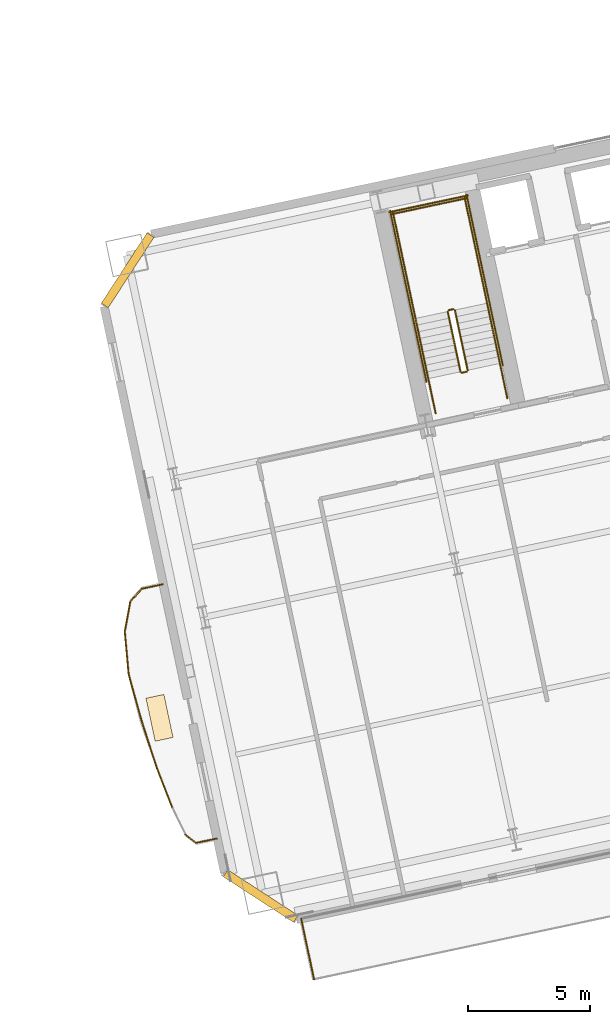
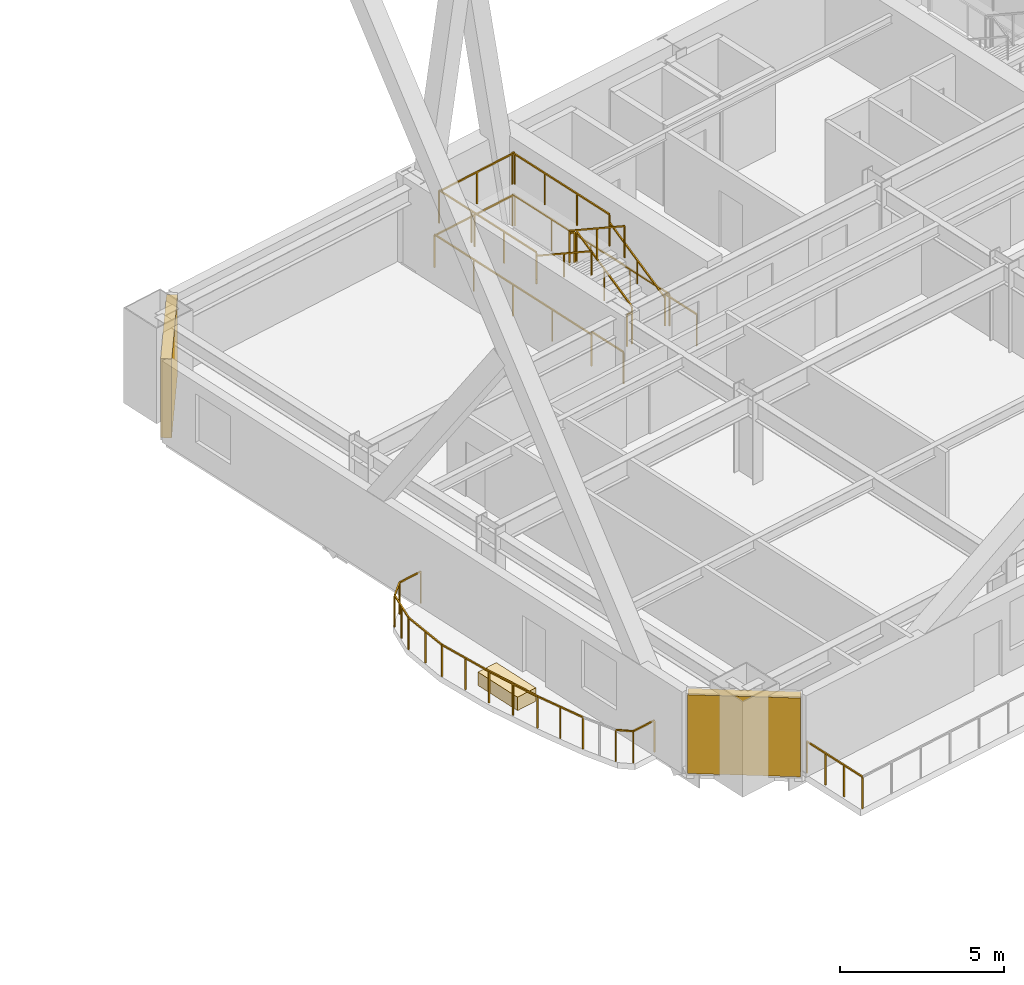
# One storey, part 20 of 22: 24 railings, 2 shading devices, 1 covering.
"""IFC4 building model written with IfcOpenShell, lengths in metres."""

from ifc_helpers import new_model, si_unit, direction, frame, origin, origin_2d, place, context, subcontext, project, spatial, rectangle, extrude, material, layer, layer_set, type_object, element, save


model = new_model("IFC4")

# Units and contexts
model_context = context("Model", 3, precision=1e-05, world=origin(), true_north=direction((0.0, 1.0)))
body_context = subcontext(model_context, "Body", "Model", "MODEL_VIEW")
ifc_project = project(units=[si_unit("LENGTHUNIT", "METRE"), si_unit("AREAUNIT", "SQUARE_METRE"), si_unit("VOLUMEUNIT", "CUBIC_METRE"), si_unit("PLANEANGLEUNIT", "RADIAN"), si_unit("MASSUNIT", "GRAM", prefix="KILO")], contexts=[model_context])

# Site, building, storey
site_placement = place(None, origin())
site = spatial("IfcSite", under=ifc_project, at=site_placement, CompositionType="ELEMENT")
building_placement = place(site_placement, origin())
building = spatial("IfcBuilding", under=site, at=building_placement, Name="Haevon Station Towers", CompositionType="ELEMENT")
storey_placement = place(building_placement, frame((0.0, 0.0, 70.199951171875)))
storey = spatial("IfcBuildingStorey", under=building, at=storey_placement, Name="L18", CompositionType="ELEMENT", Elevation=70.199951171875)

# Railings
ifc_material_1 = material(Name="Steel S355", Category="steel")
railing_type_1 = type_object("IfcRailingType", Name="GRD-EXT1200", PredefinedType="GUARDRAIL", material=ifc_material_1)
railing_1_placement = place(storey_placement, frame((93.623779296875, 17.22412109375, 0.0)))
element("IfcRailing", 1, at=railing_1_placement, inside=storey, type_object=railing_type_1, Name="L18 Perimeter Guardrail 3", PredefinedType="GUARDRAIL", context=body_context, shape_type="SweptSolid", body=[
    extrude(rectangle(XDim=0.048095703125, YDim=0.048095703125, at=origin_2d()), frame((0.0, 0.0, 1.17578125), z_axis=(0.207864515886, -0.978157626886, 0.0), x_axis=(0.978157626886, 0.207864515886, 0.0)), (0.0, 0.0, 1.0), 2.53466796875),
    extrude(rectangle(XDim=0.0419921875, YDim=0.0419921875, at=origin_2d()), origin(), (0.0, 0.0, 1.0), 1.15185546875),
    extrude(rectangle(XDim=0.0419921875, YDim=0.0419921875, at=origin_2d()), frame((0.175537109375, -0.826416015625, 0.0)), (0.0, 0.0, 1.0), 1.15185546875),
    extrude(rectangle(XDim=0.0419921875, YDim=0.0419921875, at=origin_2d()), frame((0.351318359375, -1.65283203125, 0.0)), (0.0, 0.0, 1.0), 1.15185546875),
    extrude(rectangle(XDim=0.0419921875, YDim=0.0419921875, at=origin_2d()), frame((0.52685546875, -2.479248046875, 0.0)), (0.0, 0.0, 1.0), 1.15185546875),
])
railing_2_placement = place(storey_placement, frame((87.94775390625, 30.92578125, 0.0)))
element("IfcRailing", 2, at=railing_2_placement, inside=storey, type_object=railing_type_1, Name="L18 Perimeter Guardrail 1", PredefinedType="GUARDRAIL", context=body_context, shape_type="SweptSolid", body=[
    extrude(rectangle(XDim=0.048095703125, YDim=0.048095703125, at=origin_2d()), frame((0.0, 0.0, 1.17578125), z_axis=(-0.977695451476, -0.210027627141, 0.0), x_axis=(0.210027627141, -0.977695451476, 0.0)), (0.0, 0.0, 1.0), 0.869384765625),
    extrude(rectangle(XDim=0.0419921875, YDim=0.0419921875, at=origin_2d()), origin(), (0.0, 0.0, 1.0), 1.15185546875),
    extrude(rectangle(XDim=0.0419921875, YDim=0.0419921875, at=origin_2d()), frame((-0.85009765625, -0.1826171875, 0.0)), (0.0, 0.0, 1.0), 1.15185546875),
])
railing_3_placement = place(storey_placement, frame((87.09765625, 30.7431640625, 0.0)))
element("IfcRailing", 3, at=railing_3_placement, inside=storey, type_object=railing_type_1, Name="L18 Perimeter Guardrail 2", PredefinedType="GUARDRAIL", context=body_context, shape_type="SweptSolid", body=[
    extrude(rectangle(XDim=0.048095703125, YDim=0.048095703125, at=origin_2d()), frame((0.0, 0.0, 1.17578125), z_axis=(-0.673069263141, -0.739579452808, 0.0), x_axis=(0.739579452808, -0.673069263141, 0.0)), (0.0, 0.0, 1.0), 0.704833984375),
    extrude(rectangle(XDim=0.0419921875, YDim=0.0419921875, at=origin_2d()), origin(), (0.0, 0.0, 1.0), 1.15185546875),
    extrude(rectangle(XDim=0.0419921875, YDim=0.0419921875, at=origin_2d()), frame((-0.474365234375, -0.521240234375, 0.0)), (0.0, 0.0, 1.0), 1.15185546875),
])
railing_4_placement = place(storey_placement, frame((86.623291015625, 30.221923828125, 0.0)))
element("IfcRailing", 4, at=railing_4_placement, inside=storey, type_object=railing_type_1, Name="L18 Perimeter Guardrail 3", PredefinedType="GUARDRAIL", context=body_context, shape_type="SweptSolid", body=[
    extrude(rectangle(XDim=0.048095703125, YDim=0.048095703125, at=origin_2d()), frame((0.0, 0.0, 1.17578125), z_axis=(-0.17885144473, -0.983876090124, 0.0), x_axis=(0.983876090124, -0.17885144473, 0.0)), (0.0, 0.0, 1.0), 1.263916015625),
    extrude(rectangle(XDim=0.0419921875, YDim=0.0419921875, at=origin_2d()), origin(), (0.0, 0.0, 1.0), 1.15185546875),
    extrude(rectangle(XDim=0.0419921875, YDim=0.0419921875, at=origin_2d()), frame((-0.113037109375, -0.621826171875, 0.0)), (0.0, 0.0, 1.0), 1.15185546875),
    extrude(rectangle(XDim=0.0419921875, YDim=0.0419921875, at=origin_2d()), frame((-0.22607421875, -1.24365234375, 0.0)), (0.0, 0.0, 1.0), 1.15185546875),
])
railing_5_placement = place(storey_placement, frame((86.397216796875, 28.978271484375, 0.0)))
element("IfcRailing", 5, at=railing_5_placement, inside=storey, type_object=railing_type_1, Name="L18 Perimeter Guardrail 4", PredefinedType="GUARDRAIL", context=body_context, shape_type="SweptSolid", body=[
    extrude(rectangle(XDim=0.048095703125, YDim=0.048095703125, at=origin_2d()), frame((0.0, 0.0, 1.17578125), z_axis=(0.09134934357, -0.995818907949, 0.0), x_axis=(0.995818907949, 0.09134934357, 0.0)), (0.0, 0.0, 1.0), 1.758544921875),
    extrude(rectangle(XDim=0.0419921875, YDim=0.0419921875, at=origin_2d()), origin(), (0.0, 0.0, 1.0), 1.15185546875),
    extrude(rectangle(XDim=0.0419921875, YDim=0.0419921875, at=origin_2d()), frame((0.080322265625, -0.87548828125, 0.0)), (0.0, 0.0, 1.0), 1.15185546875),
    extrude(rectangle(XDim=0.0419921875, YDim=0.0419921875, at=origin_2d()), frame((0.16064453125, -1.751220703125, 0.0)), (0.0, 0.0, 1.0), 1.15185546875),
])
railing_6_placement = place(storey_placement, frame((86.557861328125, 27.22705078125, 0.0)))
element("IfcRailing", 6, at=railing_6_placement, inside=storey, type_object=railing_type_1, Name="L18 Perimeter Guardrail 5", PredefinedType="GUARDRAIL", context=body_context, shape_type="SweptSolid", body=[
    extrude(rectangle(XDim=0.048095703125, YDim=0.048095703125, at=origin_2d()), frame((0.0, 0.0, 1.17578125), z_axis=(0.269648061071, -0.962958941576, 0.0), x_axis=(0.962958941576, 0.269648061071, 0.0)), (0.0, 0.0, 1.0), 1.997314453125),
    extrude(rectangle(XDim=0.0419921875, YDim=0.0419921875, at=origin_2d()), origin(), (0.0, 0.0, 1.0), 1.15185546875),
    extrude(rectangle(XDim=0.0419921875, YDim=0.0419921875, at=origin_2d()), frame((0.269287109375, -0.961669921875, 0.0)), (0.0, 0.0, 1.0), 1.15185546875),
    extrude(rectangle(XDim=0.0419921875, YDim=0.0419921875, at=origin_2d()), frame((0.53857421875, -1.92333984375, 0.0)), (0.0, 0.0, 1.0), 1.15185546875),
])
railing_7_placement = place(storey_placement, frame((87.096435546875, 25.3037109375, 0.0)))
element("IfcRailing", 7, at=railing_7_placement, inside=storey, type_object=railing_type_1, Name="L18 Perimeter Guardrail 6", PredefinedType="GUARDRAIL", context=body_context, shape_type="SweptSolid", body=[
    extrude(rectangle(XDim=0.048095703125, YDim=0.048095703125, at=origin_2d()), frame((0.0, 0.0, 1.17578125), z_axis=(0.307166859975, -0.951655673095, 0.0), x_axis=(0.951655673095, 0.307166859975, 0.0)), (0.0, 0.0, 1.0), 1.999755859375),
    extrude(rectangle(XDim=0.0419921875, YDim=0.0419921875, at=origin_2d()), origin(), (0.0, 0.0, 1.0), 1.15185546875),
    extrude(rectangle(XDim=0.0419921875, YDim=0.0419921875, at=origin_2d()), frame((0.30712890625, -0.95166015625, 0.0)), (0.0, 0.0, 1.0), 1.15185546875),
    extrude(rectangle(XDim=0.0419921875, YDim=0.0419921875, at=origin_2d()), frame((0.6142578125, -1.903076171875, 0.0)), (0.0, 0.0, 1.0), 1.15185546875),
])
railing_8_placement = place(storey_placement, frame((87.710693359375, 23.400634765625, 0.0)))
element("IfcRailing", 8, at=railing_8_placement, inside=storey, type_object=railing_type_1, Name="L18 Perimeter Guardrail 7", PredefinedType="GUARDRAIL", context=body_context, shape_type="SweptSolid", body=[
    extrude(rectangle(XDim=0.048095703125, YDim=0.048095703125, at=origin_2d()), frame((0.0, 0.0, 1.17578125), z_axis=(0.363828124835, -0.93146610007, 0.0), x_axis=(0.93146610007, 0.363828124835, 0.0)), (0.0, 0.0, 1.0), 1.77294921875),
    extrude(rectangle(XDim=0.0419921875, YDim=0.0419921875, at=origin_2d()), origin(), (0.0, 0.0, 1.0), 1.15185546875),
    extrude(rectangle(XDim=0.0419921875, YDim=0.0419921875, at=origin_2d()), frame((0.322509765625, -0.82568359375, 0.0)), (0.0, 0.0, 1.0), 1.15185546875),
    extrude(rectangle(XDim=0.0419921875, YDim=0.0419921875, at=origin_2d()), frame((0.64501953125, -1.6513671875, 0.0)), (0.0, 0.0, 1.0), 1.15185546875),
])
railing_9_placement = place(storey_placement, frame((88.88623046875, 20.66552734375, 0.0)))
element("IfcRailing", 9, at=railing_9_placement, inside=storey, type_object=railing_type_1, Name="L18 Perimeter Guardrail 9", PredefinedType="GUARDRAIL", context=body_context, shape_type="SweptSolid", body=[
    extrude(rectangle(XDim=0.048095703125, YDim=0.048095703125, at=origin_2d()), frame((0.0, 0.0, 1.17578125), z_axis=(0.788740209516, -0.614726672508, 0.0), x_axis=(0.614726672508, 0.788740209516, 0.0)), (0.0, 0.0, 1.0), 0.537353515625),
    extrude(rectangle(XDim=0.0419921875, YDim=0.0419921875, at=origin_2d()), origin(), (0.0, 0.0, 1.0), 1.15185546875),
    extrude(rectangle(XDim=0.0419921875, YDim=0.0419921875, at=origin_2d()), frame((0.423828125, -0.330322265625, 0.0)), (0.0, 0.0, 1.0), 1.15185546875),
])
railing_10_placement = place(storey_placement, frame((89.31005859375, 20.335205078125, 0.0)))
element("IfcRailing", 10, at=railing_10_placement, inside=storey, type_object=railing_type_1, Name="L18 Perimeter Guardrail 10", PredefinedType="GUARDRAIL", context=body_context, shape_type="SweptSolid", body=[
    extrude(rectangle(XDim=0.048095703125, YDim=0.048095703125, at=origin_2d()), frame((0.0, 0.0, 1.17578125), z_axis=(0.978588498747, 0.205826504901, 0.0), x_axis=(-0.205826504901, 0.978588498747, 0.0)), (0.0, 0.0, 1.0), 0.869384765625),
    extrude(rectangle(XDim=0.0419921875, YDim=0.0419921875, at=origin_2d()), origin(), (0.0, 0.0, 1.0), 1.15185546875),
    extrude(rectangle(XDim=0.0419921875, YDim=0.0419921875, at=origin_2d()), frame((0.850830078125, 0.178955078125, 0.0)), (0.0, 0.0, 1.0), 1.15185546875),
])
railing_type_2 = type_object("IfcRailingType", Name="GRD-STR1200", PredefinedType="GUARDRAIL", material=ifc_material_1)
railing_11_placement = place(storey_placement, frame((100.44140625, 39.69287109375, 0.1650390625)))
element("IfcRailing", 11, at=railing_11_placement, inside=storey, type_object=railing_type_2, Name="L18 ST3 Stair Guard 1", PredefinedType="GUARDRAIL", context=body_context, shape_type="SweptSolid", body=[
    extrude(rectangle(XDim=0.048095703125, YDim=0.048095703125, at=origin_2d()), frame((0.0, 0.0, 1.17578125), z_axis=(-0.179121265225, 0.842687928106, 0.507732831485), x_axis=(-0.978147030254, -0.207914374695, 0.0)), (0.0, 0.0, 1.0), 2.925048828125),
    extrude(rectangle(XDim=0.0419921875, YDim=0.0419921875, at=origin_2d()), origin(), (0.0, 0.0, 1.0), 1.15185546875),
    extrude(rectangle(XDim=0.0419921875, YDim=0.0419921875, at=origin_2d()), frame((-0.261962890625, 1.232421875, 0.74267578125)), (0.0, 0.0, 1.0), 1.15185546875),
    extrude(rectangle(XDim=0.0419921875, YDim=0.0419921875, at=origin_2d()), frame((-0.52392578125, 2.46484375, 1.485107421875)), (0.0, 0.0, 1.0), 1.15185546875),
])
railing_12_placement = place(storey_placement, frame((99.858154296875, 42.1962890625, 1.650146484375)))
element("IfcRailing", 12, at=railing_12_placement, inside=storey, type_object=railing_type_2, Name="L18 ST3 Stair Guard 2", PredefinedType="GUARDRAIL", context=body_context, shape_type="SweptSolid", body=[
    extrude(rectangle(XDim=0.048095703125, YDim=0.048095703125, at=origin_2d()), frame((0.0, 0.0, 1.17578125), z_axis=(-0.977962931203, -0.208778603291, 0.0), x_axis=(0.208778603291, -0.977962931203, 0.0)), (0.0, 0.0, 1.0), 0.199951171875),
    extrude(rectangle(XDim=0.0419921875, YDim=0.0419921875, at=origin_2d()), origin(), (0.0, 0.0, 1.0), 1.15185546875),
    extrude(rectangle(XDim=0.0419921875, YDim=0.0419921875, at=origin_2d()), frame((-0.195556640625, -0.041748046875, 0.0)), (0.0, 0.0, 1.0), 1.15185546875),
])
railing_13_placement = place(storey_placement, frame((101.238037109375, 42.4384765625, 1.650146484375)))
element("IfcRailing", 13, at=railing_13_placement, inside=storey, type_object=railing_type_2, Name="L18 ST3 Stair Guard 3", PredefinedType="GUARDRAIL", context=body_context, shape_type="SweptSolid", body=[
    extrude(rectangle(XDim=0.048095703125, YDim=0.048095703125, at=origin_2d()), frame((0.0, 0.0, 1.17578125), z_axis=(-0.20794048909, 0.978141479029, 0.0), x_axis=(-0.978141479029, -0.20794048909, 0.0)), (0.0, 0.0, 1.0), 4.429931640625),
    extrude(rectangle(XDim=0.0419921875, YDim=0.0419921875, at=origin_2d()), origin(), (0.0, 0.0, 1.0), 1.15185546875),
    extrude(rectangle(XDim=0.0419921875, YDim=0.0419921875, at=origin_2d()), frame((-0.30712890625, 1.4443359375, 0.0)), (0.0, 0.0, 1.0), 1.15185546875),
    extrude(rectangle(XDim=0.0419921875, YDim=0.0419921875, at=origin_2d()), frame((-0.614013671875, 2.888671875, 0.0)), (0.0, 0.0, 1.0), 1.15185546875),
    extrude(rectangle(XDim=0.0419921875, YDim=0.0419921875, at=origin_2d()), frame((-0.921142578125, 4.3330078125, 0.0)), (0.0, 0.0, 1.0), 1.15185546875),
])
railing_14_placement = place(storey_placement, frame((98.303466796875, 41.814697265625, 1.650146484375)))
element("IfcRailing", 14, at=railing_14_placement, inside=storey, type_object=railing_type_2, Name="L18 ST3 Stair Guard 4", PredefinedType="GUARDRAIL", context=body_context, shape_type="SweptSolid", body=[
    extrude(rectangle(XDim=0.048095703125, YDim=0.048095703125, at=origin_2d()), frame((0.0, 0.0, 1.17578125), z_axis=(-0.207876551949, 0.978155069071, 0.0), x_axis=(-0.978155069071, -0.207876551949, 0.0)), (0.0, 0.0, 1.0), 4.429931640625),
    extrude(rectangle(XDim=0.0419921875, YDim=0.0419921875, at=origin_2d()), origin(), (0.0, 0.0, 1.0), 1.15185546875),
    extrude(rectangle(XDim=0.0419921875, YDim=0.0419921875, at=origin_2d()), frame((-0.306884765625, 1.4443359375, 0.0)), (0.0, 0.0, 1.0), 1.15185546875),
    extrude(rectangle(XDim=0.0419921875, YDim=0.0419921875, at=origin_2d()), frame((-0.614013671875, 2.888916015625, 0.0)), (0.0, 0.0, 1.0), 1.15185546875),
    extrude(rectangle(XDim=0.0419921875, YDim=0.0419921875, at=origin_2d()), frame((-0.9208984375, 4.333251953125, 0.0)), (0.0, 0.0, 1.0), 1.15185546875),
])
railing_15_placement = place(storey_placement, frame((100.376220703125, 46.733154296875, 1.650146484375)))
element("IfcRailing", 15, at=railing_15_placement, inside=storey, type_object=railing_type_2, Name="L18 ST3 Stair Guard 5", PredefinedType="GUARDRAIL", context=body_context, shape_type="SweptSolid", body=[
    extrude(rectangle(XDim=0.048095703125, YDim=0.048095703125, at=origin_2d()), frame((0.0, 0.0, 1.17578125), z_axis=(-0.978146839882, -0.207915270313, 0.0), x_axis=(0.207915270313, -0.978146839882, 0.0)), (0.0, 0.0, 1.0), 3.099853515625),
    extrude(rectangle(XDim=0.0419921875, YDim=0.0419921875, at=origin_2d()), origin(), (0.0, 0.0, 1.0), 1.15185546875),
    extrude(rectangle(XDim=0.0419921875, YDim=0.0419921875, at=origin_2d()), frame((-1.51611328125, -0.322265625, 0.0)), (0.0, 0.0, 1.0), 1.15185546875),
    extrude(rectangle(XDim=0.0419921875, YDim=0.0419921875, at=origin_2d()), frame((-3.0322265625, -0.64453125, 0.0)), (0.0, 0.0, 1.0), 1.15185546875),
])
railing_16_placement = place(storey_placement, frame((99.6240234375, 42.09521484375, 1.81494140625)))
element("IfcRailing", 16, at=railing_16_placement, inside=storey, type_object=railing_type_2, Name="L18 ST3 Stair Guard 6", PredefinedType="GUARDRAIL", context=body_context, shape_type="SweptSolid", body=[
    extrude(rectangle(XDim=0.048095703125, YDim=0.048095703125, at=origin_2d()), frame((0.0, 0.0, 1.17578125), z_axis=(0.179121265225, -0.842687928106, 0.507732831485), x_axis=(0.978147030254, 0.207914374695, 0.0)), (0.0, 0.0, 1.0), 2.925048828125),
    extrude(rectangle(XDim=0.0419921875, YDim=0.0419921875, at=origin_2d()), origin(), (0.0, 0.0, 1.0), 1.15185546875),
    extrude(rectangle(XDim=0.0419921875, YDim=0.0419921875, at=origin_2d()), frame((0.261962890625, -1.232421875, 0.74267578125)), (0.0, 0.0, 1.0), 1.15185546875),
    extrude(rectangle(XDim=0.0419921875, YDim=0.0419921875, at=origin_2d()), frame((0.52392578125, -2.46484375, 1.485107421875)), (0.0, 0.0, 1.0), 1.15185546875),
])
railing_17_placement = place(storey_placement, frame((100.40283203125, 39.633544921875, 0.0)))
element("IfcRailing", 17, at=railing_17_placement, inside=storey, type_object=railing_type_2, Name="L18 ST3 Stair Guard 7", PredefinedType="GUARDRAIL", context=body_context, shape_type="SweptSolid", body=[
    extrude(rectangle(XDim=0.048095703125, YDim=0.048095703125, at=origin_2d()), frame((0.0, 0.0, 1.17578125), z_axis=(-0.977962931203, -0.208778603291, 0.0), x_axis=(0.208778603291, -0.977962931203, 0.0)), (0.0, 0.0, 1.0), 0.199951171875),
    extrude(rectangle(XDim=0.0419921875, YDim=0.0419921875, at=origin_2d()), origin(), (0.0, 0.0, 1.0), 1.15185546875),
    extrude(rectangle(XDim=0.0419921875, YDim=0.0419921875, at=origin_2d()), frame((-0.195556640625, -0.041748046875, 0.0)), (0.0, 0.0, 1.0), 1.15185546875),
])
for number, where, name in (
    (18, (102.0634765625, 38.55517578125, 0.0), "L18 ST3 Stair Guard 8"),
    (19, (99.12890625, 37.931396484375, 0.0), "L18 ST3 Stair Guard 9"),
):
    element("IfcRailing", number, at=place(storey_placement, frame(where)), inside=storey, type_object=railing_type_2, Name=name, PredefinedType="GUARDRAIL", context=body_context, shape_type="SweptSolid", body=[
        extrude(rectangle(XDim=0.048095703125, YDim=0.048095703125, at=origin_2d()), frame((0.0, 0.0, 1.17578125), z_axis=(-0.207953405961, 0.978138732977, 0.0), x_axis=(-0.978138732977, -0.207953405961, 0.0)), (0.0, 0.0, 1.0), 1.449951171875),
        extrude(rectangle(XDim=0.0419921875, YDim=0.0419921875, at=origin_2d()), origin(), (0.0, 0.0, 1.0), 1.15185546875),
        extrude(rectangle(XDim=0.0419921875, YDim=0.0419921875, at=origin_2d()), frame((-0.301513671875, 1.418212890625, 0.0)), (0.0, 0.0, 1.0), 1.15185546875),
    ])
railing_18_placement = place(storey_placement, frame((101.88037109375, 39.896484375, 0.0)))
element("IfcRailing", 20, at=railing_18_placement, inside=storey, type_object=railing_type_2, Name="L18 ST3 Stair Guard 10", PredefinedType="GUARDRAIL", context=body_context, shape_type="SweptSolid", body=[
    extrude(rectangle(XDim=0.048095703125, YDim=0.048095703125, at=origin_2d()), frame((0.0, 0.0, 1.17578125), z_axis=(-0.207882442208, 0.978153817261, 0.0), x_axis=(-0.978153817261, -0.207882442208, 0.0)), (0.0, 0.0, 1.0), 7.14990234375),
    extrude(rectangle(XDim=0.0419921875, YDim=0.0419921875, at=origin_2d()), origin(), (0.0, 0.0, 1.0), 1.15185546875),
    extrude(rectangle(XDim=0.0419921875, YDim=0.0419921875, at=origin_2d()), frame((-0.37158203125, 1.74853515625, 0.0)), (0.0, 0.0, 1.0), 1.15185546875),
    extrude(rectangle(XDim=0.0419921875, YDim=0.0419921875, at=origin_2d()), frame((-0.7431640625, 3.496826171875, 0.0)), (0.0, 0.0, 1.0), 1.15185546875),
    extrude(rectangle(XDim=0.0419921875, YDim=0.0419921875, at=origin_2d()), frame((-1.11474609375, 5.2451171875, 0.0)), (0.0, 0.0, 1.0), 1.15185546875),
    extrude(rectangle(XDim=0.0419921875, YDim=0.0419921875, at=origin_2d()), frame((-1.486328125, 6.99365234375, 0.0)), (0.0, 0.0, 1.0), 1.15185546875),
])
railing_19_placement = place(storey_placement, frame((98.75048828125, 39.231201171875, 0.0)))
element("IfcRailing", 21, at=railing_19_placement, inside=storey, type_object=railing_type_2, Name="L18 ST3 Stair Guard 11", PredefinedType="GUARDRAIL", context=body_context, shape_type="SweptSolid", body=[
    extrude(rectangle(XDim=0.048095703125, YDim=0.048095703125, at=origin_2d()), frame((0.0, 0.0, 1.17578125), z_axis=(-0.207915112487, 0.978146873429, 0.0), x_axis=(-0.978146873429, -0.207915112487, 0.0)), (0.0, 0.0, 1.0), 7.14990234375),
    extrude(rectangle(XDim=0.0419921875, YDim=0.0419921875, at=origin_2d()), origin(), (0.0, 0.0, 1.0), 1.15185546875),
    extrude(rectangle(XDim=0.0419921875, YDim=0.0419921875, at=origin_2d()), frame((-0.37158203125, 1.74853515625, 0.0)), (0.0, 0.0, 1.0), 1.15185546875),
    extrude(rectangle(XDim=0.0419921875, YDim=0.0419921875, at=origin_2d()), frame((-0.7431640625, 3.496826171875, 0.0)), (0.0, 0.0, 1.0), 1.15185546875),
    extrude(rectangle(XDim=0.0419921875, YDim=0.0419921875, at=origin_2d()), frame((-1.114990234375, 5.2451171875, 0.0)), (0.0, 0.0, 1.0), 1.15185546875),
    extrude(rectangle(XDim=0.0419921875, YDim=0.0419921875, at=origin_2d()), frame((-1.486572265625, 6.99365234375, 0.0)), (0.0, 0.0, 1.0), 1.15185546875),
])
railing_20_placement = place(storey_placement, frame((100.453125, 46.8515625, 0.0)))
element("IfcRailing", 22, at=railing_20_placement, inside=storey, type_object=railing_type_2, Name="L18 ST3 Stair Guard 12", PredefinedType="GUARDRAIL", context=body_context, shape_type="SweptSolid", body=[
    extrude(rectangle(XDim=0.048095703125, YDim=0.048095703125, at=origin_2d()), frame((0.0, 0.0, 1.17578125), z_axis=(-0.978150764849, -0.207896804268, 0.0), x_axis=(0.207896804268, -0.978150764849, 0.0)), (0.0, 0.0, 1.0), 3.2998046875),
    extrude(rectangle(XDim=0.0419921875, YDim=0.0419921875, at=origin_2d()), origin(), (0.0, 0.0, 1.0), 1.15185546875),
    extrude(rectangle(XDim=0.0419921875, YDim=0.0419921875, at=origin_2d()), frame((-1.61376953125, -0.343017578125, 0.0)), (0.0, 0.0, 1.0), 1.15185546875),
    extrude(rectangle(XDim=0.0419921875, YDim=0.0419921875, at=origin_2d()), frame((-3.227783203125, -0.68603515625, 0.0)), (0.0, 0.0, 1.0), 1.15185546875),
])
railing_type_3 = type_object("IfcRailingType", Name="HND-STR900", PredefinedType="HANDRAIL", material=ifc_material_1)
railing_21_placement = place(storey_placement, frame((101.761962890625, 39.973388671875, 0.1650390625)))
element("IfcRailing", 23, at=railing_21_placement, inside=storey, type_object=railing_type_3, Name="L18 ST3 Stair Handrail 1", PredefinedType="HANDRAIL", context=body_context, shape_type="SweptSolid", body=[
    extrude(rectangle(XDim=0.048095703125, YDim=0.048095703125, at=origin_2d()), frame((0.0, 0.0, 0.8759765625), z_axis=(-0.179108667068, 0.842712120868, 0.50769712105), x_axis=(-0.978151217824, -0.207894673017, 0.0)), (0.0, 0.0, 1.0), 2.92529296875),
    extrude(rectangle(XDim=0.0419921875, YDim=0.0419921875, at=origin_2d()), origin(), (0.0, 0.0, 1.0), 0.851806640625),
    extrude(rectangle(XDim=0.0419921875, YDim=0.0419921875, at=origin_2d()), frame((-0.261962890625, 1.232421875, 0.74267578125)), (0.0, 0.0, 1.0), 0.851806640625),
    extrude(rectangle(XDim=0.0419921875, YDim=0.0419921875, at=origin_2d()), frame((-0.52392578125, 2.465087890625, 1.485107421875)), (0.0, 0.0, 1.0), 0.851806640625),
])
railing_22_placement = place(storey_placement, frame((98.303466796875, 41.814697265625, 1.81494140625)))
element("IfcRailing", 24, at=railing_22_placement, inside=storey, type_object=railing_type_3, Name="L18 ST3 Stair Handrail 2", PredefinedType="HANDRAIL", context=body_context, shape_type="SweptSolid", body=[
    extrude(rectangle(XDim=0.048095703125, YDim=0.048095703125, at=origin_2d()), frame((0.0, 0.0, 0.8759765625), z_axis=(0.179108667068, -0.842712120868, 0.50769712105), x_axis=(0.978151217824, 0.207894673017, 0.0)), (0.0, 0.0, 1.0), 2.92529296875),
    extrude(rectangle(XDim=0.0419921875, YDim=0.0419921875, at=origin_2d()), origin(), (0.0, 0.0, 1.0), 0.851806640625),
    extrude(rectangle(XDim=0.0419921875, YDim=0.0419921875, at=origin_2d()), frame((0.261962890625, -1.232421875, 0.74267578125)), (0.0, 0.0, 1.0), 0.851806640625),
    extrude(rectangle(XDim=0.0419921875, YDim=0.0419921875, at=origin_2d()), frame((0.52392578125, -2.465087890625, 1.485107421875)), (0.0, 0.0, 1.0), 0.851806640625),
])

# Covering
ifc_material_2 = material(Name="Architectural planter GRC", Category="concrete")
ifc_layer_1 = layer(ifc_material_2, 0.550048828125)
ifc_layer_set_1 = layer_set([ifc_layer_1], Name="Architectural planter GRC")
covering_type = type_object("IfcCoveringType", Name="PLN-GRC550", PredefinedType="MOLDING", material=ifc_layer_set_1)
covering_placement = place(storey_placement, frame((87.822021484375, 25.4580078125, 0.0), z_axis=(0.0, 0.0, 1.0), x_axis=(0.978147600734, 0.207911690818, 0.0)))
element("IfcCovering", 25, at=covering_placement, inside=storey, type_object=covering_type, Name="Tower 2 L18 Scalloped Balcony PLANTER", PredefinedType="MOLDING", context=body_context, shape_type="SweptSolid", body=[
    extrude(rectangle(XDim=0.75, YDim=1.800048828125, at=origin_2d()), origin(), (0.0, 0.0, 1.0), 0.5),
])

# Shading devices
ifc_material_3 = material(Name="Anodised aluminium 6063-T6", Category="aluminium")
ifc_layer_2 = layer(ifc_material_3, 0.139892578125)
ifc_layer_set_2 = layer_set([ifc_layer_2], Name="Anodised aluminium 6063-T6")
shading_device_type = type_object("IfcShadingDeviceType", Name="SHD-WIND-BAFFLE", PredefinedType="SHUTTER", material=ifc_layer_set_2)
for number, where, z_axis, x_axis, name in (
    (26, (91.963134765625, 18.159423828125, 0.05029296875), (0.0, 0.0, 1.0), (-0.838670519647, 0.544639109388, 0.0), "Tower 2 L18 Wind-Corner Aerofoil Baffle SWC"),
    (27, (86.515869140625, 43.786865234375, 0.05029296875), (0.0, 0.0, 1.0), (0.544639109388, 0.838670519647, 0.0), "Tower 2 L18 Wind-Corner Aerofoil Baffle NWC"),
):
    element("IfcShadingDevice", number, at=place(storey_placement, frame(where, z_axis=z_axis, x_axis=x_axis)), inside=storey, type_object=shading_device_type, Name=name, PredefinedType="SHUTTER", context=body_context, shape_type="SweptSolid", body=[
        extrude(rectangle(XDim=3.435546875, YDim=0.340087890625, at=origin_2d()), origin(), (0.0, 0.0, 1.0), 2.929931640625),
    ])

save(model, "model.ifc")
